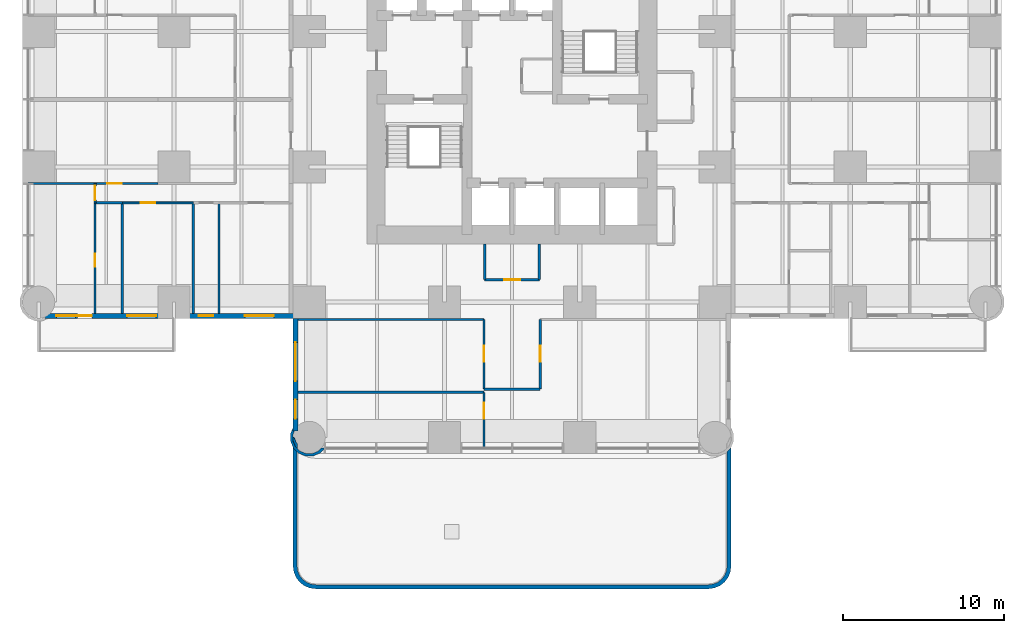
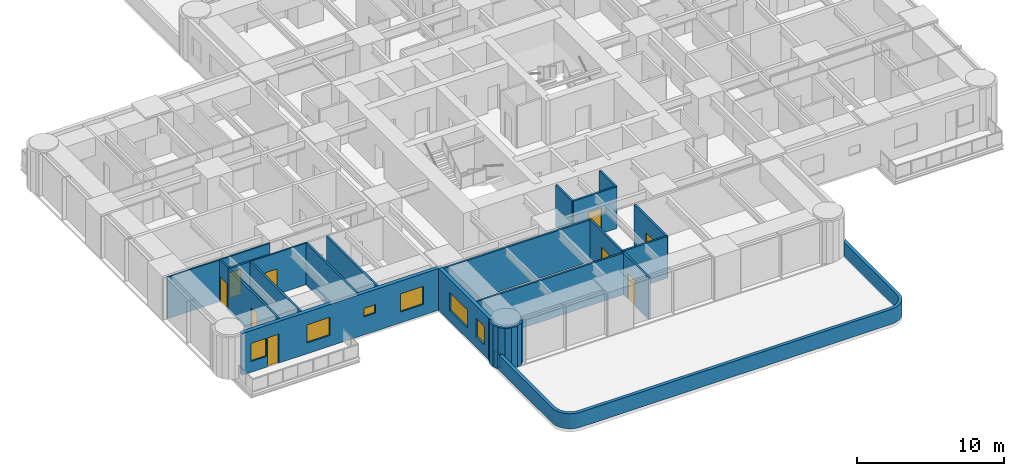
# One storey, part 6 of 14: 23 walls, 9 doors, 6 windows, 15 openings.
"""IFC4 building model written with IfcOpenShell, lengths in metres."""

from ifc_helpers import new_model, si_unit, direction, frame, frame_2d, origin, place, context, subcontext, project, spatial, polyline, rectangle, outline, extrude, material, layer, layer_set, type_object, element, fill, save


model = new_model("IFC4")

# Units and contexts
model_context = context("Model", 3, precision=1e-05, world=origin(), true_north=direction((0.0, 1.0)))
body_context = subcontext(model_context, "Body", "Model", "MODEL_VIEW")
ifc_project = project(units=[si_unit("LENGTHUNIT", "METRE"), si_unit("AREAUNIT", "SQUARE_METRE"), si_unit("VOLUMEUNIT", "CUBIC_METRE"), si_unit("PLANEANGLEUNIT", "RADIAN"), si_unit("MASSUNIT", "GRAM", prefix="KILO")], contexts=[model_context])

# Site, building, storey
site_placement = place(None, origin())
site = spatial("IfcSite", under=ifc_project, at=site_placement, CompositionType="ELEMENT")
building_placement = place(site_placement, origin())
building = spatial("IfcBuilding", under=site, at=building_placement, Name="Torre Alcanfor", CompositionType="ELEMENT")
storey_placement = place(building_placement, frame((0.0, 0.0, 108.89990234375)))
storey = spatial("IfcBuildingStorey", under=building, at=storey_placement, Name="L27", CompositionType="ELEMENT", Elevation=108.89990234375)

# Wall, opening, door
ifc_material_1 = material(Name="Gypsum board on steel studs", Category="steel")
ifc_layer_1 = layer(ifc_material_1, 0.1201171875)
ifc_layer_set_1 = layer_set([ifc_layer_1], Name="Apartment partition 120")
wall_type_1 = type_object("IfcWallType", Name="Apartment partition 120", PredefinedType="PARTITIONING", material=ifc_layer_set_1)
wall_1_placement = place(storey_placement, frame((3.5, 24.1708984375, 0.0), z_axis=(0.0, 0.0, 1.0), x_axis=(1.0, 0.0, 0.0)))
wall_1 = element("IfcWall", 1, at=wall_1_placement, inside=storey, type_object=wall_type_1, Name="Partition L27-W1-LIVING / L27-W1-HALL", PredefinedType="PARTITIONING", context=body_context, shape_type="SweptSolid", body=[
    extrude(rectangle(XDim=3.89990234375, YDim=0.1201171875, at=frame_2d((1.949951171875, 0.0))), origin(), (0.0, 0.0, 1.0), 3.4501953125),
])
opening_1_placement = place(wall_1_placement, frame((0.75, 0.0, 0.0)))
opening_1 = element("IfcOpeningElement", 2, at=opening_1_placement, cuts=wall_1, Name="Opening D-R1", PredefinedType="OPENING", context=body_context, shape_type="SweptSolid", body=[
    extrude(rectangle(XDim=0.89990234375, YDim=2.10009765625, at=frame_2d((0.449951171875, 1.050048828125))), frame((0.0, 0.070068359375, 0.0), z_axis=(0.0, -1.0, 0.0), x_axis=(1.0, 0.0, 0.0)), (0.0, 0.0, 1.0), 0.14013671875),
])
ifc_material_2 = material(Name="Timber", Category="wood")
door_type_1 = type_object("IfcDoorType", Name="Internal door 900x2100", OperationType="SINGLE_SWING_LEFT", PredefinedType="DOOR", material=ifc_material_2)
door_1_placement = place(opening_1_placement, origin())
door_1 = element("IfcDoor", 3, at=door_1_placement, inside=storey, type_object=door_type_1, Name="Door L27-W1 living", OperationType="SINGLE_SWING_RIGHT", OverallHeight=2.10009765625, OverallWidth=0.89990234375, PredefinedType="DOOR", context=body_context, shape_type="SweptSolid", body=[
    extrude(rectangle(XDim=0.89990234375, YDim=2.10009765625, at=frame_2d((0.449951171875, 1.050048828125))), frame((0.0, 0.02490234375, 0.0), z_axis=(0.0, -1.0, 0.0), x_axis=(1.0, 0.0, 0.0)), (0.0, 0.0, 1.0), 0.050048828125),
])
fill(opening_1, door_1)

# Wall
wall_2_placement = place(storey_placement, frame((-0.64990234375, 24.1708984375, 0.0), z_axis=(0.0, 0.0, 1.0), x_axis=(1.0, 0.0, 0.0)))
element("IfcWall", 4, at=wall_2_placement, inside=storey, type_object=wall_type_1, Name="Partition L27-W1-LIVING / L27-W1-MASTER", PredefinedType="PARTITIONING", context=body_context, shape_type="SweptSolid", body=[
    extrude(rectangle(XDim=4.14990234375, YDim=0.1201171875, at=frame_2d((2.074951171875, 0.0))), origin(), (0.0, 0.0, 1.0), 3.4501953125),
])

# Wall, opening, door
wall_3_placement = place(storey_placement, frame((5.199951171875, 22.970947265625, 0.0), z_axis=(0.0, 0.0, 1.0), x_axis=(1.0, 0.0, 0.0)))
wall_3 = element("IfcWall", 5, at=wall_3_placement, inside=storey, type_object=wall_type_1, Name="Partition L27-W1-HALL / L27-W1-BED2", PredefinedType="PARTITIONING", context=body_context, shape_type="SweptSolid", body=[
    extrude(rectangle(XDim=4.400146484375, YDim=0.1201171875, at=frame_2d((2.2001953125, 0.0))), origin(), (0.0, 0.0, 1.0), 3.4501953125),
])
opening_2_placement = place(wall_3_placement, frame((1.14990234375, 0.0, 0.0)))
opening_2 = element("IfcOpeningElement", 6, at=opening_2_placement, cuts=wall_3, Name="Opening D-R1", PredefinedType="OPENING", context=body_context, shape_type="SweptSolid", body=[
    extrude(rectangle(XDim=0.89990234375, YDim=2.10009765625, at=frame_2d((0.449951171875, 1.050048828125))), frame((0.0, 0.070068359375, 0.0), z_axis=(0.0, -1.0, 0.0), x_axis=(1.0, 0.0, 0.0)), (0.0, 0.0, 1.0), 0.14013671875),
])
door_2_placement = place(opening_2_placement, frame((0.89990234375, 0.0, 0.0), z_axis=(0.0, 0.0, 1.0), x_axis=(-1.0, 0.0, 0.0)))
door_2 = element("IfcDoor", 7, at=door_2_placement, inside=storey, type_object=door_type_1, Name="Door L27-W1 bed2", OperationType="SINGLE_SWING_RIGHT", OverallHeight=2.10009765625, OverallWidth=0.89990234375, PredefinedType="DOOR", context=body_context, shape_type="SweptSolid", body=[
    extrude(rectangle(XDim=0.89990234375, YDim=2.10009765625, at=frame_2d((0.449951171875, 1.050048828125))), frame((0.0, 0.025146484375, 0.0), z_axis=(0.0, -1.0, 0.0), x_axis=(1.0, 0.0, 0.0)), (0.0, 0.0, 1.0), 0.050048828125),
])
fill(opening_2, door_2)

wall_4_placement = place(storey_placement, frame((3.5, 24.1708984375, 0.0), z_axis=(0.0, 0.0, 1.0), x_axis=(0.0, -1.0, 0.0)))
wall_4 = element("IfcWall", 8, at=wall_4_placement, inside=storey, type_object=wall_type_1, Name="Partition L27-W1-HALL / L27-W1-MASTER", PredefinedType="PARTITIONING", context=body_context, shape_type="SweptSolid", body=[
    extrude(rectangle(XDim=1.199951171875, YDim=0.1201171875, at=frame_2d((0.60009765625, 0.0))), origin(), (0.0, 0.0, 1.0), 3.4501953125),
])
opening_3_placement = place(wall_4_placement, frame((0.15087890625, 0.0, 0.0)))
opening_3 = element("IfcOpeningElement", 9, at=opening_3_placement, cuts=wall_4, Name="Opening D-R1", PredefinedType="OPENING", context=body_context, shape_type="SweptSolid", body=[
    extrude(rectangle(XDim=0.89990234375, YDim=2.10009765625, at=frame_2d((0.449951171875, 1.050048828125))), frame((0.0, 0.070068359375, 0.0), z_axis=(0.0, -1.0, 0.0), x_axis=(1.0, 0.0, 0.0)), (0.0, 0.0, 1.0), 0.14013671875),
])
door_3_placement = place(opening_3_placement, frame((0.89990234375, 0.0, 0.0), z_axis=(0.0, 0.0, 1.0), x_axis=(-1.0, 0.0, 0.0)))
door_3 = element("IfcDoor", 10, at=door_3_placement, inside=storey, type_object=door_type_1, Name="Door L27-W1 master", OperationType="SINGLE_SWING_RIGHT", OverallHeight=2.10009765625, OverallWidth=0.89990234375, PredefinedType="DOOR", context=body_context, shape_type="SweptSolid", body=[
    extrude(rectangle(XDim=0.89990234375, YDim=2.10009765625, at=frame_2d((0.449951171875, 1.050048828125))), frame((0.0, 0.025146484375, 0.0), z_axis=(0.0, -1.0, 0.0), x_axis=(1.0, 0.0, 0.0)), (0.0, 0.0, 1.0), 0.050048828125),
])
fill(opening_3, door_3)

# Wall, openings, door, windows
ifc_material_3 = material(Name="Limestone cladding", Category="masonry")
ifc_layer_2 = layer(ifc_material_3, 0.0400390625, Name="Facing")
ifc_material_4 = material(Name="Ventilated air cavity")
ifc_layer_3 = layer(ifc_material_4, 0.02001953125, ventilated=True, Name="Ventilated joint")
ifc_material_5 = material(Name="Mineral wool insulation", Category="insulation")
ifc_layer_4 = layer(ifc_material_5, 0.10009765625, Name="Insulation")
ifc_material_6 = material(Name="Concrete f'c 35 MPa", Category="concrete")
ifc_layer_5 = layer(ifc_material_6, 0.139892578125, Name="Backing")
ifc_layer_set_2 = layer_set([ifc_layer_2, ifc_layer_3, ifc_layer_4, ifc_layer_5], Name="External wall stone-clad 300")
wall_type_2 = type_object("IfcWallType", Name="External wall stone-clad 300", PredefinedType="SOLIDWALL", material=ifc_layer_set_2)
wall_5_placement = place(storey_placement, frame((0.39990234375, 15.949951171875, 0.0), z_axis=(0.0, 0.0, 1.0), x_axis=(1.0, 0.0, 0.0)))
wall_5 = element("IfcWall", 11, at=wall_5_placement, inside=storey, type_object=wall_type_2, Name="External wall L27 3", PredefinedType="SOLIDWALL", context=body_context, shape_type="SweptSolid", body=[
    extrude(rectangle(XDim=15.7001953125, YDim=0.300048828125, at=frame_2d((7.85009765625, 0.0))), origin(), (0.0, 0.0, 1.0), 3.4501953125),
])
opening_4_placement = place(wall_5_placement, frame((12.39990234375, 0.0, 0.89990234375)))
opening_4 = element("IfcOpeningElement", 12, at=opening_4_placement, cuts=wall_5, Name="Opening W2", PredefinedType="OPENING", context=body_context, shape_type="SweptSolid", body=[
    extrude(rectangle(XDim=1.800048828125, YDim=1.5, at=frame_2d((0.89990234375, 0.75))), frame((0.0, 0.159912109375, 0.0), z_axis=(0.0, -1.0, 0.0), x_axis=(1.0, 0.0, 0.0)), (0.0, 0.0, 1.0), 0.320068359375),
])
opening_5_placement = place(wall_5_placement, frame((9.550048828125, 0.0, 1.5)))
opening_5 = element("IfcOpeningElement", 13, at=opening_5_placement, cuts=wall_5, Name="Opening W3", PredefinedType="OPENING", context=body_context, shape_type="SweptSolid", body=[
    extrude(rectangle(XDim=0.89990234375, YDim=0.699951171875, at=frame_2d((0.449951171875, 0.35009765625))), frame((0.0, 0.159912109375, 0.0), z_axis=(0.0, -1.0, 0.0), x_axis=(1.0, 0.0, 0.0)), (0.0, 0.0, 1.0), 0.320068359375),
])
opening_6_placement = place(wall_5_placement, frame((5.10009765625, 0.0, 0.89990234375)))
opening_6 = element("IfcOpeningElement", 14, at=opening_6_placement, cuts=wall_5, Name="Opening W2", PredefinedType="OPENING", context=body_context, shape_type="SweptSolid", body=[
    extrude(rectangle(XDim=1.800048828125, YDim=1.5, at=frame_2d((0.89990234375, 0.75))), frame((0.0, 0.159912109375, 0.0), z_axis=(0.0, -1.0, 0.0), x_axis=(1.0, 0.0, 0.0)), (0.0, 0.0, 1.0), 0.320068359375),
])
opening_7_placement = place(wall_5_placement, frame((2.0, 0.0, 0.0)))
opening_7 = element("IfcOpeningElement", 15, at=opening_7_placement, cuts=wall_5, Name="Opening D-B1", PredefinedType="OPENING", context=body_context, shape_type="SweptSolid", body=[
    extrude(rectangle(XDim=0.89990234375, YDim=2.39990234375, at=frame_2d((0.449951171875, 1.199951171875))), frame((0.0, 0.159912109375, 0.0), z_axis=(0.0, -1.0, 0.0), x_axis=(1.0, 0.0, 0.0)), (0.0, 0.0, 1.0), 0.320068359375),
])
opening_8_placement = place(wall_5_placement, frame((0.699951171875, 0.0, 0.89990234375)))
opening_8 = element("IfcOpeningElement", 16, at=opening_8_placement, cuts=wall_5, Name="Opening W4", PredefinedType="OPENING", context=body_context, shape_type="SweptSolid", body=[
    extrude(rectangle(XDim=1.199951171875, YDim=1.5, at=frame_2d((0.60009765625, 0.75))), frame((0.0, 0.159912109375, 0.0), z_axis=(0.0, -1.0, 0.0), x_axis=(1.0, 0.0, 0.0)), (0.0, 0.0, 1.0), 0.320068359375),
])
ifc_material_7 = material(Name="Aluminium and glass", Category="aluminium")
door_type_2 = type_object("IfcDoorType", Name="Balcony door glazed 900x2400", OperationType="SINGLE_SWING_LEFT", PredefinedType="DOOR", material=ifc_material_7)
door_4_placement = place(opening_7_placement, origin())
door_4 = element("IfcDoor", 17, at=door_4_placement, inside=storey, type_object=door_type_2, Name="Balcony door L27-W1", OperationType="SINGLE_SWING_RIGHT", OverallHeight=2.39990234375, OverallWidth=0.89990234375, PredefinedType="DOOR", context=body_context, shape_type="SweptSolid", body=[
    extrude(rectangle(XDim=0.89990234375, YDim=2.39990234375, at=frame_2d((0.449951171875, 1.199951171875))), frame((0.0, 0.02490234375, 0.0), z_axis=(0.0, -1.0, 0.0), x_axis=(1.0, 0.0, 0.0)), (0.0, 0.0, 1.0), 0.050048828125),
])
fill(opening_7, door_4)
ifc_material_8 = material(Name="Aluminium frame with clear double glazing", Category="aluminium")
window_type_1 = type_object("IfcWindowType", Name="Window bathroom 900x700", PartitioningType="SINGLE_PANEL", PredefinedType="WINDOW", material=ifc_material_8)
window_1_placement = place(opening_5_placement, origin())
window_1 = element("IfcWindow", 18, at=window_1_placement, inside=storey, type_object=window_type_1, Name="Window W3 L27-W1", OverallHeight=0.699951171875, OverallWidth=0.89990234375, PartitioningType="SINGLE_PANEL", PredefinedType="WINDOW", context=body_context, shape_type="SweptSolid", body=[
    extrude(rectangle(XDim=0.89990234375, YDim=0.699951171875, at=frame_2d((0.449951171875, 0.35009765625))), frame((0.0, 0.030029296875, 0.0), z_axis=(0.0, -1.0, 0.0), x_axis=(1.0, 0.0, 0.0)), (0.0, 0.0, 1.0), 0.06005859375),
])
fill(opening_5, window_1)
ifc_material_9 = material(Name="Aluminium frame with clear double glazing", Category="aluminium")
window_type_2 = type_object("IfcWindowType", Name="Window bedroom 1200x1500", PartitioningType="SINGLE_PANEL", PredefinedType="WINDOW", material=ifc_material_9)
window_2_placement = place(opening_8_placement, origin())
window_2 = element("IfcWindow", 19, at=window_2_placement, inside=storey, type_object=window_type_2, Name="Window W4 L27-W1", OverallHeight=1.5, OverallWidth=1.199951171875, PartitioningType="SINGLE_PANEL", PredefinedType="WINDOW", context=body_context, shape_type="SweptSolid", body=[
    extrude(rectangle(XDim=1.199951171875, YDim=1.5, at=frame_2d((0.60009765625, 0.75))), frame((0.0, 0.030029296875, 0.0), z_axis=(0.0, -1.0, 0.0), x_axis=(1.0, 0.0, 0.0)), (0.0, 0.0, 1.0), 0.06005859375),
])
fill(opening_8, window_2)
ifc_material_10 = material(Name="Aluminium frame with clear double glazing", Category="aluminium")
window_type_3 = type_object("IfcWindowType", Name="Window bedroom 1800x1500", PartitioningType="SINGLE_PANEL", PredefinedType="WINDOW", material=ifc_material_10)
window_3_placement = place(opening_4_placement, origin())
window_3 = element("IfcWindow", 20, at=window_3_placement, inside=storey, type_object=window_type_3, Name="Window W2 L27-W1", OverallHeight=1.5, OverallWidth=1.800048828125, PartitioningType="SINGLE_PANEL", PredefinedType="WINDOW", context=body_context, shape_type="SweptSolid", body=[
    extrude(rectangle(XDim=1.800048828125, YDim=1.5, at=frame_2d((0.89990234375, 0.75))), frame((0.0, 0.030029296875, 0.0), z_axis=(0.0, -1.0, 0.0), x_axis=(1.0, 0.0, 0.0)), (0.0, 0.0, 1.0), 0.06005859375),
])
fill(opening_4, window_3)
window_4_placement = place(opening_6_placement, origin())
window_4 = element("IfcWindow", 21, at=window_4_placement, inside=storey, type_object=window_type_3, Name="Window W2 L27-W1", OverallHeight=1.5, OverallWidth=1.800048828125, PartitioningType="SINGLE_PANEL", PredefinedType="WINDOW", context=body_context, shape_type="SweptSolid", body=[
    extrude(rectangle(XDim=1.800048828125, YDim=1.5, at=frame_2d((0.89990234375, 0.75))), frame((0.0, 0.030029296875, 0.0), z_axis=(0.0, -1.0, 0.0), x_axis=(1.0, 0.0, 0.0)), (0.0, 0.0, 1.0), 0.06005859375),
])
fill(opening_6, window_4)

# Wall, openings, windows
wall_6_placement = place(storey_placement, frame((15.949951171875, 15.800048828125, 0.0), z_axis=(0.0, 0.0, 1.0), x_axis=(0.0, -1.0, 0.0)))
wall_6 = element("IfcWall", 22, at=wall_6_placement, inside=storey, type_object=wall_type_2, Name="External wall L27 4", PredefinedType="SOLIDWALL", context=body_context, shape_type="SweptSolid", body=[
    extrude(rectangle(XDim=7.0, YDim=0.300048828125, at=frame_2d((3.5, 0.0))), origin(), (0.0, 0.0, 1.0), 3.4501953125),
])
opening_9_placement = place(wall_6_placement, frame((1.5, 0.0, 0.89990234375)))
opening_9 = element("IfcOpeningElement", 23, at=opening_9_placement, cuts=wall_6, Name="Opening W1", PredefinedType="OPENING", context=body_context, shape_type="SweptSolid", body=[
    extrude(rectangle(XDim=2.39990234375, YDim=1.5, at=frame_2d((1.199951171875, 0.75))), frame((0.0, 0.159912109375, 0.0), z_axis=(0.0, -1.0, 0.0), x_axis=(1.0, 0.0, 0.0)), (0.0, 0.0, 1.0), 0.320068359375),
])
opening_10_placement = place(wall_6_placement, frame((5.050048828125, 0.0, 0.89990234375)))
opening_10 = element("IfcOpeningElement", 24, at=opening_10_placement, cuts=wall_6, Name="Opening W4", PredefinedType="OPENING", context=body_context, shape_type="SweptSolid", body=[
    extrude(rectangle(XDim=1.199951171875, YDim=1.5, at=frame_2d((0.60009765625, 0.75))), frame((0.0, 0.159912109375, 0.0), z_axis=(0.0, -1.0, 0.0), x_axis=(1.0, 0.0, 0.0)), (0.0, 0.0, 1.0), 0.320068359375),
])
window_5_placement = place(opening_10_placement, origin())
window_5 = element("IfcWindow", 25, at=window_5_placement, inside=storey, type_object=window_type_2, Name="Window W4 L27-S2", OverallHeight=1.5, OverallWidth=1.199951171875, PartitioningType="SINGLE_PANEL", PredefinedType="WINDOW", context=body_context, shape_type="SweptSolid", body=[
    extrude(rectangle(XDim=1.199951171875, YDim=1.5, at=frame_2d((0.60009765625, 0.75))), frame((0.0, 0.030029296875, 0.0), z_axis=(0.0, -1.0, 0.0), x_axis=(1.0, 0.0, 0.0)), (0.0, 0.0, 1.0), 0.06005859375),
])
fill(opening_10, window_5)
ifc_material_11 = material(Name="Aluminium frame with clear double glazing", Category="aluminium")
window_type_4 = type_object("IfcWindowType", Name="Window bedroom 2400x1500", PartitioningType="SINGLE_PANEL", PredefinedType="WINDOW", material=ifc_material_11)
window_6_placement = place(opening_9_placement, origin())
window_6 = element("IfcWindow", 26, at=window_6_placement, inside=storey, type_object=window_type_4, Name="Window W1 L27-S2", OverallHeight=1.5, OverallWidth=2.39990234375, PartitioningType="SINGLE_PANEL", PredefinedType="WINDOW", context=body_context, shape_type="SweptSolid", body=[
    extrude(rectangle(XDim=2.39990234375, YDim=1.5, at=frame_2d((1.199951171875, 0.75))), frame((0.0, 0.030029296875, 0.0), z_axis=(0.0, -1.0, 0.0), x_axis=(1.0, 0.0, 0.0)), (0.0, 0.0, 1.0), 0.06005859375),
])
fill(opening_9, window_6)

# Walls
ifc_layer_6 = layer(ifc_material_3, 0.0400390625, Name="Facing")
ifc_layer_7 = layer(ifc_material_4, 0.02001953125, ventilated=True, Name="Ventilated joint")
ifc_layer_8 = layer(ifc_material_6, 0.18994140625, Name="Backing")
ifc_layer_set_3 = layer_set([ifc_layer_6, ifc_layer_7, ifc_layer_8], Name="Parapet stone-clad 250")
wall_type_3 = type_object("IfcWallType", Name="Parapet stone-clad 250", PredefinedType="PARAPET", material=ifc_layer_set_3)
wall_7_placement = place(storey_placement, origin())
element("IfcWall", 27, at=wall_7_placement, inside=storey, type_object=wall_type_3, Name="Parapet L27 1", PredefinedType="PARAPET", context=body_context, shape_type="SweptSolid", body=[
    extrude(outline(polyline([(42.8125, -0.300048828125), (42.58984375, -0.58984375), (42.300048828125, -0.8125), (41.96240234375, -0.952392578125), (41.60009765625, -1.0), (17.199951171875, -1.0), (16.837646484375, -0.952392578125), (16.5, -0.8125), (16.210205078125, -0.58984375), (15.987548828125, -0.300048828125), (15.84765625, 0.03759765625), (15.800048828125, 0.39990234375), (15.800048828125, 7.782958984375), (15.816650390625, 7.742919921875), (16.050048828125, 7.509521484375), (16.050048828125, 0.41650390625), (16.09130859375, 0.10302734375), (16.2060546875, -0.173828125), (16.388427734375, -0.41162109375), (16.626220703125, -0.593994140625), (16.903076171875, -0.708740234375), (17.21630859375, -0.75), (41.58349609375, -0.75), (41.89697265625, -0.708740234375), (42.173828125, -0.593994140625), (42.41162109375, -0.41162109375), (42.593994140625, -0.173828125), (42.708740234375, 0.10302734375), (42.75, 0.41650390625), (42.75, 7.509521484375), (42.9833984375, 7.742919921875), (43.0, 7.782958984375), (43.0, 0.39990234375), (42.952392578125, 0.03759765625), (42.8125, -0.300048828125)])), origin(), (0.0, 0.0, 1.0), 1.25),
])
wall_8_placement = place(storey_placement, origin())
element("IfcWall", 28, at=wall_8_placement, inside=storey, type_object=wall_type_3, Name="Parapet L27 1", PredefinedType="PARAPET", context=body_context, shape_type="SweptSolid", body=[
    extrude(outline(polyline([(15.987548828125, 8.10009765625), (16.06005859375, 8.005615234375), (16.06005859375, 7.724365234375), (15.951416015625, 7.8330078125), (15.800048828125, 8.198486328125), (15.800048828125, 8.422607421875), (15.85400390625, 8.422607421875), (15.987548828125, 8.10009765625)])), origin(), (0.0, 0.0, 1.0), 1.25),
])
ifc_material_12 = material(Name="Concrete block masonry, hollow blocks NMX-C-404 9 MPa", Category="masonry")
ifc_layer_9 = layer(ifc_material_12, 0.14990234375)
ifc_layer_set_4 = layer_set([ifc_layer_9], Name="Residents' room partition 150")
wall_type_4 = type_object("IfcWallType", Name="Residents' room partition 150", PredefinedType="PARTITIONING", material=ifc_layer_set_4)
wall_9_placement = place(storey_placement, frame((27.699951171875, 20.39990234375, 0.0), z_axis=(0.0, 0.0, 1.0), x_axis=(0.0, -1.0, 0.0)))
element("IfcWall", 29, at=wall_9_placement, inside=storey, type_object=wall_type_4, Name="Partition L27-CORR / L27-G04", PredefinedType="PARTITIONING", context=body_context, shape_type="SweptSolid", body=[
    extrude(rectangle(XDim=2.199951171875, YDim=0.14990234375, at=frame_2d((1.10009765625, 0.0))), origin(), (0.0, 0.0, 1.0), 3.4501953125),
])

# Wall, opening, door
wall_10_placement = place(storey_placement, frame((27.699951171875, 18.199951171875, 0.0), z_axis=(0.0, 0.0, 1.0), x_axis=(1.0, 0.0, 0.0)))
wall_10 = element("IfcWall", 30, at=wall_10_placement, inside=storey, type_object=wall_type_4, Name="Partition L27-CORR / L27-G04", PredefinedType="PARTITIONING", context=body_context, shape_type="SweptSolid", body=[
    extrude(rectangle(XDim=3.400146484375, YDim=0.14990234375, at=frame_2d((1.7001953125, 0.0))), origin(), (0.0, 0.0, 1.0), 3.4501953125),
])
opening_11_placement = place(wall_10_placement, frame((1.199951171875, 0.0, 0.0)))
opening_11 = element("IfcOpeningElement", 31, at=opening_11_placement, cuts=wall_10, Name="Opening D-M1", PredefinedType="OPENING", context=body_context, shape_type="SweptSolid", body=[
    extrude(rectangle(XDim=1.0, YDim=2.10009765625, at=frame_2d((0.5, 1.050048828125))), frame((0.0, 0.0849609375, 0.0), z_axis=(0.0, -1.0, 0.0), x_axis=(1.0, 0.0, 0.0)), (0.0, 0.0, 1.0), 0.169921875),
])
ifc_material_13 = material(Name="Timber", Category="wood")
door_type_3 = type_object("IfcDoorType", Name="Residents' room door 1000x2100", OperationType="SINGLE_SWING_LEFT", PredefinedType="DOOR", material=ifc_material_13)
door_5_placement = place(opening_11_placement, origin())
door_5 = element("IfcDoor", 32, at=door_5_placement, inside=storey, type_object=door_type_3, Name="Door L27-G04 parcel room", OperationType="SINGLE_SWING_LEFT", OverallHeight=2.10009765625, OverallWidth=1.0, PredefinedType="DOOR", context=body_context, shape_type="SweptSolid", body=[
    extrude(rectangle(XDim=1.0, YDim=2.10009765625, at=frame_2d((0.5, 1.050048828125))), frame((0.0, 0.02490234375, 0.0), z_axis=(0.0, -1.0, 0.0), x_axis=(1.0, 0.0, 0.0)), (0.0, 0.0, 1.0), 0.050048828125),
])
fill(opening_11, door_5)

# Walls
wall_11_placement = place(storey_placement, frame((31.10009765625, 18.199951171875, 0.0), z_axis=(0.0, 0.0, 1.0), x_axis=(0.0, 1.0, 0.0)))
element("IfcWall", 33, at=wall_11_placement, inside=storey, type_object=wall_type_4, Name="Partition L27-CORR / L27-G04", PredefinedType="PARTITIONING", context=body_context, shape_type="SweptSolid", body=[
    extrude(rectangle(XDim=2.199951171875, YDim=0.14990234375, at=frame_2d((1.10009765625, 0.0))), origin(), (0.0, 0.0, 1.0), 3.4501953125),
])
wall_12_placement = place(storey_placement, frame((27.656982421875, 15.72509765625, 0.0), z_axis=(0.0, 0.0, 1.0), x_axis=(-1.0, 0.0, 0.0)))
element("IfcWall", 34, at=wall_12_placement, inside=storey, type_object=wall_type_4, Name="Partition L27-CORR / L27-S-CHANGE", PredefinedType="PARTITIONING", context=body_context, shape_type="SweptSolid", body=[
    extrude(rectangle(XDim=11.556884765625, YDim=0.14990234375, at=frame_2d((5.7783203125, 0.0))), origin(), (0.0, 0.0, 1.0), 3.4501953125),
])
wall_13_placement = place(storey_placement, frame((27.656982421875, 11.39990234375, 0.0), z_axis=(0.0, 0.0, 1.0), x_axis=(1.0, 0.0, 0.0)))
element("IfcWall", 35, at=wall_13_placement, inside=storey, type_object=wall_type_4, Name="Partition L27-S-ACORR / L27-S-GYM", PredefinedType="PARTITIONING", context=body_context, shape_type="SweptSolid", body=[
    extrude(rectangle(XDim=3.486083984375, YDim=0.14990234375, at=frame_2d((1.7431640625, 0.0))), origin(), (0.0, 0.0, 1.0), 3.4501953125),
])

# Wall, opening, door
wall_14_placement = place(storey_placement, frame((31.14306640625, 11.39990234375, 0.0), z_axis=(0.0, 0.0, 1.0), x_axis=(0.0, 1.0, 0.0)))
wall_14 = element("IfcWall", 36, at=wall_14_placement, inside=storey, type_object=wall_type_4, Name="Partition L27-S-ACORR / L27-S-GYM", PredefinedType="PARTITIONING", context=body_context, shape_type="SweptSolid", body=[
    extrude(rectangle(XDim=4.3251953125, YDim=0.14990234375, at=frame_2d((2.16259765625, 0.0))), origin(), (0.0, 0.0, 1.0), 3.4501953125),
])
opening_12_placement = place(wall_14_placement, frame((1.699951171875, 0.0, 0.0)))
opening_12 = element("IfcOpeningElement", 37, at=opening_12_placement, cuts=wall_14, Name="Opening D-M1", PredefinedType="OPENING", context=body_context, shape_type="SweptSolid", body=[
    extrude(rectangle(XDim=1.0, YDim=2.10009765625, at=frame_2d((0.5, 1.050048828125))), frame((0.0, 0.0849609375, 0.0), z_axis=(0.0, -1.0, 0.0), x_axis=(1.0, 0.0, 0.0)), (0.0, 0.0, 1.0), 0.169921875),
])
door_6_placement = place(opening_12_placement, frame((1.0, 0.0, 0.0), z_axis=(0.0, 0.0, 1.0), x_axis=(-1.0, 0.0, 0.0)))
door_6 = element("IfcDoor", 38, at=door_6_placement, inside=storey, type_object=door_type_3, Name="Door L27 S gym", OperationType="SINGLE_SWING_LEFT", OverallHeight=2.10009765625, OverallWidth=1.0, PredefinedType="DOOR", context=body_context, shape_type="SweptSolid", body=[
    extrude(rectangle(XDim=1.0, YDim=2.10009765625, at=frame_2d((0.5, 1.050048828125))), frame((0.0, 0.025146484375, 0.0), z_axis=(0.0, -1.0, 0.0), x_axis=(1.0, 0.0, 0.0)), (0.0, 0.0, 1.0), 0.050048828125),
])
fill(opening_12, door_6)

wall_15_placement = place(storey_placement, frame((27.656982421875, 15.72509765625, 0.0), z_axis=(0.0, 0.0, 1.0), x_axis=(0.0, -1.0, 0.0)))
wall_15 = element("IfcWall", 39, at=wall_15_placement, inside=storey, type_object=wall_type_4, Name="Partition L27-S-ACORR / L27-S-CHANGE", PredefinedType="PARTITIONING", context=body_context, shape_type="SweptSolid", body=[
    extrude(rectangle(XDim=4.3251953125, YDim=0.14990234375, at=frame_2d((2.16259765625, 0.0))), origin(), (0.0, 0.0, 1.0), 3.4501953125),
])
opening_13_placement = place(wall_15_placement, frame((1.625, 0.0, 0.0)))
opening_13 = element("IfcOpeningElement", 40, at=opening_13_placement, cuts=wall_15, Name="Opening D-M1", PredefinedType="OPENING", context=body_context, shape_type="SweptSolid", body=[
    extrude(rectangle(XDim=1.0, YDim=2.10009765625, at=frame_2d((0.5, 1.050048828125))), frame((0.0, 0.0849609375, 0.0), z_axis=(0.0, -1.0, 0.0), x_axis=(1.0, 0.0, 0.0)), (0.0, 0.0, 1.0), 0.169921875),
])
door_7_placement = place(opening_13_placement, frame((1.0, 0.0, 0.0), z_axis=(0.0, 0.0, 1.0), x_axis=(-1.0, 0.0, 0.0)))
door_7 = element("IfcDoor", 41, at=door_7_placement, inside=storey, type_object=door_type_3, Name="Door L27 S change", OperationType="SINGLE_SWING_RIGHT", OverallHeight=2.10009765625, OverallWidth=1.0, PredefinedType="DOOR", context=body_context, shape_type="SweptSolid", body=[
    extrude(rectangle(XDim=1.0, YDim=2.10009765625, at=frame_2d((0.5, 1.050048828125))), frame((0.0, 0.025146484375, 0.0), z_axis=(0.0, -1.0, 0.0), x_axis=(1.0, 0.0, 0.0)), (0.0, 0.0, 1.0), 0.050048828125),
])
fill(opening_13, door_7)

wall_16_placement = place(storey_placement, frame((27.656982421875, 7.75, 0.0), z_axis=(0.0, 0.0, 1.0), x_axis=(0.0, 1.0, 0.0)))
wall_16 = element("IfcWall", 42, at=wall_16_placement, inside=storey, type_object=wall_type_4, Name="Partition L27-S-GYM / L27-S-GAMES", PredefinedType="PARTITIONING", context=body_context, shape_type="SweptSolid", body=[
    extrude(rectangle(XDim=3.449951171875, YDim=0.14990234375, at=frame_2d((1.72509765625, 0.0))), origin(), (0.0, 0.0, 1.0), 3.4501953125),
])
opening_14_placement = place(wall_16_placement, frame((1.800048828125, 0.0, 0.0)))
opening_14 = element("IfcOpeningElement", 43, at=opening_14_placement, cuts=wall_16, Name="Opening D-M1", PredefinedType="OPENING", context=body_context, shape_type="SweptSolid", body=[
    extrude(rectangle(XDim=1.0, YDim=2.10009765625, at=frame_2d((0.5, 1.050048828125))), frame((0.0, 0.0849609375, 0.0), z_axis=(0.0, -1.0, 0.0), x_axis=(1.0, 0.0, 0.0)), (0.0, 0.0, 1.0), 0.169921875),
])
door_8_placement = place(opening_14_placement, origin())
door_8 = element("IfcDoor", 44, at=door_8_placement, inside=storey, type_object=door_type_3, Name="Door L27 S games", OperationType="SINGLE_SWING_RIGHT", OverallHeight=2.10009765625, OverallWidth=1.0, PredefinedType="DOOR", context=body_context, shape_type="SweptSolid", body=[
    extrude(rectangle(XDim=1.0, YDim=2.10009765625, at=frame_2d((0.5, 1.050048828125))), frame((0.0, 0.02490234375, 0.0), z_axis=(0.0, -1.0, 0.0), x_axis=(1.0, 0.0, 0.0)), (0.0, 0.0, 1.0), 0.050048828125),
])
fill(opening_14, door_8)

# Walls
wall_17_placement = place(storey_placement, frame((16.10009765625, 11.199951171875, 0.0), z_axis=(0.0, 0.0, 1.0), x_axis=(1.0, 0.0, 0.0)))
element("IfcWall", 45, at=wall_17_placement, inside=storey, type_object=wall_type_4, Name="Partition L27-S-CHANGE / L27-S-GAMES", PredefinedType="PARTITIONING", context=body_context, shape_type="SweptSolid", body=[
    extrude(rectangle(XDim=11.556884765625, YDim=0.14990234375, at=frame_2d((5.7783203125, 0.0))), origin(), (0.0, 0.0, 1.0), 3.4501953125),
])
ifc_layer_10 = layer(ifc_material_3, 0.0400390625, Name="Facing")
ifc_layer_11 = layer(ifc_material_4, 0.02001953125, ventilated=True, Name="Ventilated joint")
ifc_layer_12 = layer(ifc_material_5, 0.10009765625, Name="Insulation")
ifc_layer_13 = layer(ifc_material_6, 0.139892578125, Name="Backing")
ifc_layer_set_5 = layer_set([ifc_layer_10, ifc_layer_11, ifc_layer_12, ifc_layer_13], Name="Rounded corner pier stone-clad 300")
wall_type_5 = type_object("IfcWallType", Name="Rounded corner pier stone-clad 300", PredefinedType="SOLIDWALL", material=ifc_layer_set_5)
wall_18_placement = place(storey_placement, frame((15.880872367, 8.96710175, 0.0), z_axis=(0.0, 0.0, 1.0), x_axis=(-0.555974394895, -0.831199417842, 0.0)))
element("IfcWall", 46, at=wall_18_placement, inside=storey, type_object=wall_type_5, Name="Corner pier L27 15", PredefinedType="SOLIDWALL", context=body_context, shape_type="SweptSolid", body=[
    extrude(outline(polyline([(0.07494779318848488, 2.0770834026485723), (0.35041856568606644, 2.022252068890168), (0.6818035874774915, 1.8012722041735163), (0.9031888995070552, 1.4702941156722973), (0.9809119895838732, 1.0796443306386898), (0.9034377582706797, 0.6891630303247767), (0.682322157617774, 0.35798093807872333), (0.35134406911655514, 0.13659562604915976), (0.12613335713727736, 0.091695733778619), (0.1837901095306438, 0.025696668693962962), (0.003385743695215479, -0.0949725786354558), (0.41366598820093176, -0.01322437330988896), (0.7972028289534172, 0.24331654620934778), (1.0532449973247993, 0.6272324817571716), (1.1432185886519806, 1.079825301144759), (1.0528059693207321, 1.5324802988204205), (0.7962650498014954, 1.9160171395729058), (0.4125520437990433, 2.1721950438805413), (0.017329426742376697, 2.250609985721389), (-0.023053552786588716, 2.2235985344069293), (0.07494779318848488, 2.0770834026485723)])), origin(), (0.0, 0.0, 1.0), 3.4501953125),
])
ifc_material_14 = material(Name="Cement board on steel studs", Category="steel")
ifc_layer_14 = layer(ifc_material_14, 0.14990234375)
ifc_layer_set_6 = layer_set([ifc_layer_14], Name="Wet area partition 150")
wall_type_6 = type_object("IfcWallType", Name="Wet area partition 150", PredefinedType="PARTITIONING", material=ifc_layer_set_6)
wall_19_placement = place(storey_placement, frame((3.5, 22.970947265625, 0.0), z_axis=(0.0, 0.0, 1.0), x_axis=(1.0, 0.0, 0.0)))
element("IfcWall", 47, at=wall_19_placement, inside=storey, type_object=wall_type_6, Name="Partition L27-W1-HALL / L27-W1-ENSBATH", PredefinedType="PARTITIONING", context=body_context, shape_type="SweptSolid", body=[
    extrude(rectangle(XDim=1.699951171875, YDim=0.14990234375, at=frame_2d((0.85009765625, 0.0))), origin(), (0.0, 0.0, 1.0), 3.4501953125),
])
for number, where, z_axis, x_axis, name in (
    (48, (11.199951171875, 22.970947265625, 0.0), (0.0, 0.0, 1.0), (0.0, -1.0, 0.0), "Partition L27-W1-BED3 / L27-W1-BATH1"),
    (49, (9.60009765625, 22.970947265625, 0.0), (0.0, 0.0, 1.0), (0.0, -1.0, 0.0), "Partition L27-W1-BATH1 / L27-W1-BED2"),
    (50, (5.199951171875, 22.970947265625, 0.0), (0.0, 0.0, 1.0), (0.0, -1.0, 0.0), "Partition L27-W1-BED2 / L27-W1-ENSBATH"),
):
    element("IfcWall", number, at=place(storey_placement, frame(where, z_axis=z_axis, x_axis=x_axis)), inside=storey, type_object=wall_type_6, Name=name, PredefinedType="PARTITIONING", context=body_context, shape_type="SweptSolid", body=[
        extrude(rectangle(XDim=6.870849609375, YDim=0.14990234375, at=frame_2d((3.435546875, 0.0))), origin(), (0.0, 0.0, 1.0), 3.4501953125),
    ])

# Wall, opening, door
wall_20_placement = place(storey_placement, frame((3.5, 22.970947265625, 0.0), z_axis=(0.0, 0.0, 1.0), x_axis=(0.0, -1.0, 0.0)))
wall_20 = element("IfcWall", 51, at=wall_20_placement, inside=storey, type_object=wall_type_6, Name="Partition L27-W1-ENSBATH / L27-W1-MASTER", PredefinedType="PARTITIONING", context=body_context, shape_type="SweptSolid", body=[
    extrude(rectangle(XDim=6.870849609375, YDim=0.14990234375, at=frame_2d((3.435546875, 0.0))), origin(), (0.0, 0.0, 1.0), 3.4501953125),
])
opening_15_placement = place(wall_20_placement, frame((3.1708984375, 0.0, 0.0)))
opening_15 = element("IfcOpeningElement", 52, at=opening_15_placement, cuts=wall_20, Name="Opening D-R2", PredefinedType="OPENING", context=body_context, shape_type="SweptSolid", body=[
    extrude(rectangle(XDim=0.800048828125, YDim=2.10009765625, at=frame_2d((0.39990234375, 1.050048828125))), frame((0.0, 0.0849609375, 0.0), z_axis=(0.0, -1.0, 0.0), x_axis=(1.0, 0.0, 0.0)), (0.0, 0.0, 1.0), 0.169921875),
])
ifc_material_15 = material(Name="Timber", Category="wood")
door_type_4 = type_object("IfcDoorType", Name="Bathroom door 800x2100", OperationType="SINGLE_SWING_LEFT", PredefinedType="DOOR", material=ifc_material_15)
door_9_placement = place(opening_15_placement, origin())
door_9 = element("IfcDoor", 53, at=door_9_placement, inside=storey, type_object=door_type_4, Name="Door L27-W1 ensbath", OperationType="SINGLE_SWING_RIGHT", OverallHeight=2.10009765625, OverallWidth=0.800048828125, PredefinedType="DOOR", context=body_context, shape_type="SweptSolid", body=[
    extrude(rectangle(XDim=0.800048828125, YDim=2.10009765625, at=frame_2d((0.39990234375, 1.050048828125))), frame((0.0, 0.02490234375, 0.0), z_axis=(0.0, -1.0, 0.0), x_axis=(1.0, 0.0, 0.0)), (0.0, 0.0, 1.0), 0.050048828125),
])
fill(opening_15, door_9)

save(model, "model.ifc")
